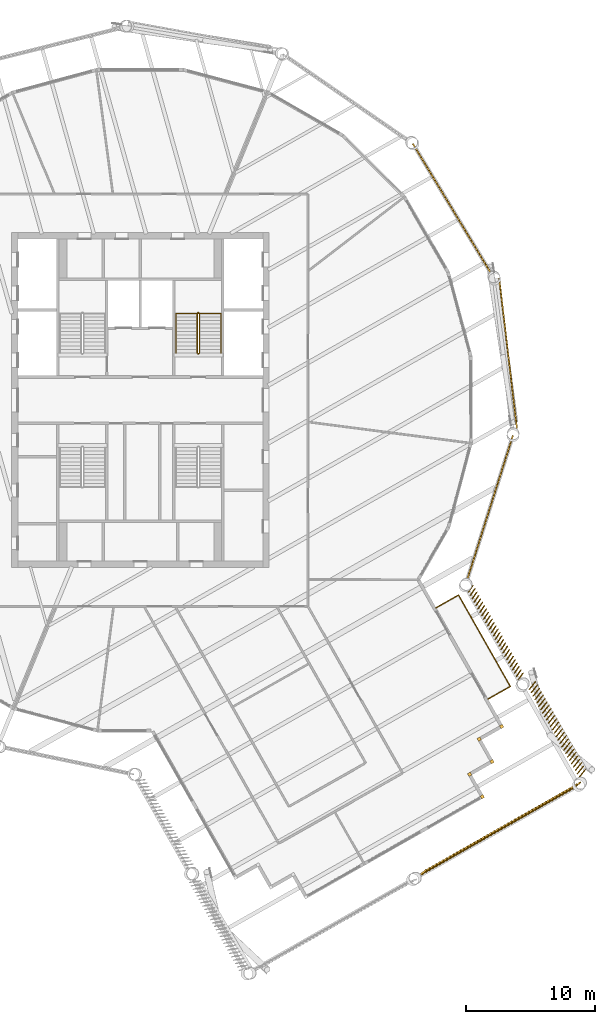
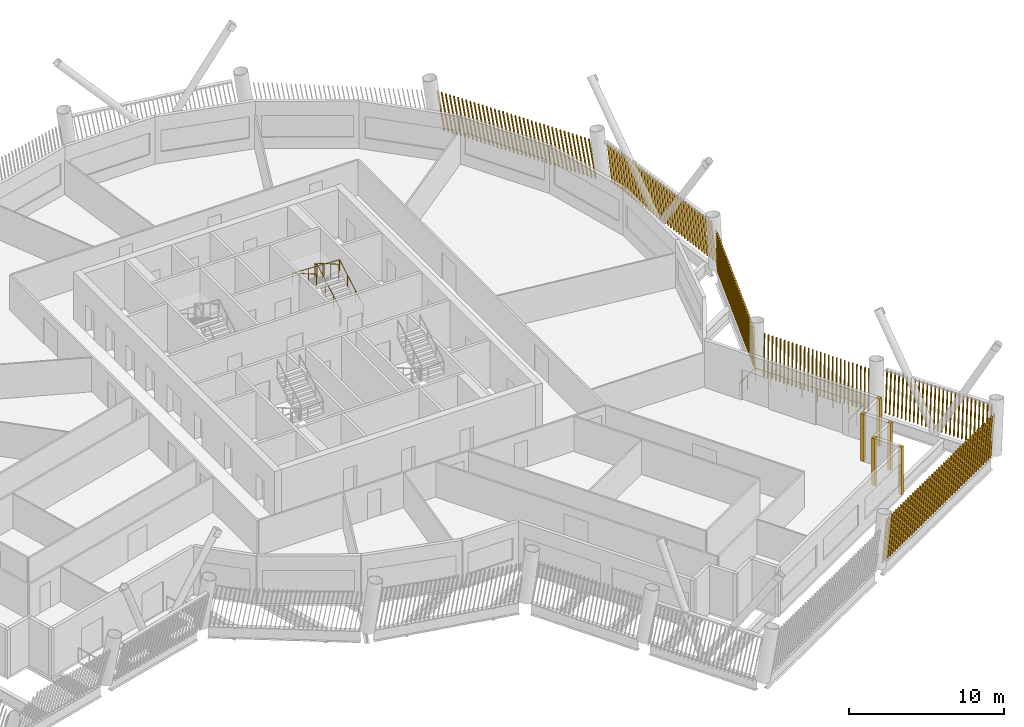
# One storey, part 19 of 21: 11 shading devices, 3 railings.
"""IFC4 building model written with IfcOpenShell, lengths in metres."""

from ifc_helpers import new_model, si_unit, direction, frame, frame_2d, origin, origin_2d, place, context, subcontext, project, spatial, rectangle, circle, composite_profile, extrude, material, type_object, element, save


model = new_model("IFC4")

# Units and contexts
model_context = context("Model", 3, precision=1e-05, world=origin(), true_north=direction((0.0, 1.0)))
body_context = subcontext(model_context, "Body", "Model", "MODEL_VIEW")
ifc_project = project(units=[si_unit("LENGTHUNIT", "METRE"), si_unit("AREAUNIT", "SQUARE_METRE"), si_unit("VOLUMEUNIT", "CUBIC_METRE"), si_unit("PLANEANGLEUNIT", "RADIAN"), si_unit("MASSUNIT", "GRAM", prefix="KILO")], contexts=[model_context])

# Site, building, storey
site_placement = place(None, origin())
site = spatial("IfcSite", under=ifc_project, at=site_placement, CompositionType="ELEMENT")
building_placement = place(site_placement, origin())
building = spatial("IfcBuilding", under=site, at=building_placement, Name="Tarsis Ring Headquarters", CompositionType="ELEMENT")
storey_placement = place(building_placement, frame((0.0, 0.0, 347.0)))
storey = spatial("IfcBuildingStorey", under=building, at=storey_placement, Name="L82", CompositionType="ELEMENT", Elevation=347.0)

# Railings
ifc_material_1 = material(Name="Stainless steel guard", Category="steel")
railing_type_1 = type_object("IfcRailingType", Name="Balcony balustrade with mesh infill 1100", PredefinedType="BALUSTRADE", material=ifc_material_1)
railing_1_placement = place(storey_placement, frame((26.98095703125, -23.20068359375, 0.0)))
element("IfcRailing", 1, at=railing_1_placement, inside=storey, type_object=railing_type_1, Name="Balcony balustrade L82-16", PredefinedType="BALUSTRADE", context=body_context, shape_type="SweptSolid", body=[
    extrude(circle(Radius=0.030029296875, at=origin_2d()), frame((0.0, 0.0, 1.070068359375), z_axis=(0.869517324545, 0.493902442104, 0.0), x_axis=(-0.493902442104, 0.869517324545, 0.0)), (0.0, 0.0, 1.0), 2.0),
    extrude(circle(Radius=0.030029296875, at=origin_2d()), frame((1.739013671875, 0.98779296875, 1.070068359375), z_axis=(-0.493956918831, 0.869486378467, 0.0), x_axis=(-0.869486378467, -0.493956918831, 0.0)), (0.0, 0.0, 1.0), 8.1513671875),
    extrude(circle(Radius=0.030029296875, at=origin_2d()), frame((-2.287353515625, 8.0751953125, 1.070068359375), z_axis=(-0.869487541658, -0.493954871321, 0.0), x_axis=(0.493954871321, -0.869487541658, 0.0)), (0.0, 0.0, 1.0), 1.999755859375),
    extrude(circle(Radius=0.02490234375, at=origin_2d()), origin(), (0.0, 0.0, 1.0), 1.0400390625),
    extrude(circle(Radius=0.02490234375, at=origin_2d()), frame((0.86962890625, 0.493896484375, 0.0)), (0.0, 0.0, 1.0), 1.0400390625),
    extrude(circle(Radius=0.02490234375, at=origin_2d()), frame((1.739013671875, 0.98779296875, 0.0)), (0.0, 0.0, 1.0), 1.0400390625),
    extrude(circle(Radius=0.02490234375, at=origin_2d()), frame((1.163818359375, 2.000244140625, 0.0)), (0.0, 0.0, 1.0), 1.0400390625),
    extrude(circle(Radius=0.02490234375, at=origin_2d()), frame((0.588623046875, 3.0126953125, 0.0)), (0.0, 0.0, 1.0), 1.0400390625),
    extrude(circle(Radius=0.02490234375, at=origin_2d()), frame((0.013427734375, 4.025146484375, 0.0)), (0.0, 0.0, 1.0), 1.0400390625),
    extrude(circle(Radius=0.02490234375, at=origin_2d()), frame((-0.561767578125, 5.037841796875, 0.0)), (0.0, 0.0, 1.0), 1.0400390625),
    extrude(circle(Radius=0.02490234375, at=origin_2d()), frame((-1.136962890625, 6.05029296875, 0.0)), (0.0, 0.0, 1.0), 1.0400390625),
    extrude(circle(Radius=0.02490234375, at=origin_2d()), frame((-1.712158203125, 7.062744140625, 0.0)), (0.0, 0.0, 1.0), 1.0400390625),
    extrude(circle(Radius=0.02490234375, at=origin_2d()), frame((-2.287353515625, 8.0751953125, 0.0)), (0.0, 0.0, 1.0), 1.0400390625),
    extrude(circle(Radius=0.02490234375, at=origin_2d()), frame((-3.15673828125, 7.581298828125, 0.0)), (0.0, 0.0, 1.0), 1.0400390625),
    extrude(circle(Radius=0.02490234375, at=origin_2d()), frame((-4.026123046875, 7.08740234375, 0.0)), (0.0, 0.0, 1.0), 1.0400390625),
])
ifc_material_2 = material(Name="Steel S355", Category="steel")
railing_type_2 = type_object("IfcRailingType", Name="Core stair guard 1100", PredefinedType="GUARDRAIL", material=ifc_material_2)
railing_2_placement = place(storey_placement, frame((4.4599609375, 3.610107421875, 0.0)))
element("IfcRailing", 2, at=railing_2_placement, inside=storey, type_object=railing_type_2, Name="L82 ST2 stair guard 1", PredefinedType="GUARDRAIL", context=body_context, shape_type="SweptSolid", body=[
    extrude(circle(Radius=0.02392578125, at=origin_2d()), frame((0.0, 0.0, 1.076171875), z_axis=(1.0, 0.0, 0.0), x_axis=(0.0, 1.0, 0.0)), (0.0, 0.0, 1.0), 0.080078125),
    extrude(circle(Radius=0.02392578125, at=origin_2d()), frame((0.080078125, 0.0, 1.076171875), z_axis=(0.282336740067, 0.280959487676, 0.917250092119), x_axis=(-0.705375805398, 0.708833529934, 0.0)), (0.0, 0.0, 1.0), 0.17724609375),
    extrude(circle(Radius=0.02392578125, at=origin_2d()), frame((0.130126953125, 0.0498046875, 1.23876953125), z_axis=(0.0, 0.864920483161, 0.501908913857), x_axis=(-1.0, 0.0, 0.0)), (0.0, 0.0, 1.0), 3.56103515625),
    extrude(circle(Radius=0.02392578125, at=origin_2d()), frame((0.130126953125, 3.1298828125, 3.02587890625), z_axis=(-0.707106781187, 0.707106781187, 0.0), x_axis=(-0.707106781187, -0.707106781187, 0.0)), (0.0, 0.0, 1.0), 0.07080078125),
    extrude(circle(Radius=0.02392578125, at=origin_2d()), frame((0.080078125, 3.179931640625, 3.02587890625), z_axis=(-1.0, 0.0, 0.0), x_axis=(0.0, -1.0, 0.0)), (0.0, 0.0, 1.0), 0.080078125),
    extrude(circle(Radius=0.02392578125, at=origin_2d()), frame((0.0, 3.179931640625, 3.02587890625), z_axis=(-0.282227285176, -0.282227285176, 0.916894497205), x_axis=(0.707106781187, -0.707106781187, 0.0)), (0.0, 0.0, 1.0), 0.17724609375),
    extrude(circle(Radius=0.02392578125, at=origin_2d()), frame((-0.050048828125, 3.1298828125, 3.1884765625), z_axis=(0.0, -0.864920483161, 0.501908913857), x_axis=(1.0, 0.0, 0.0)), (0.0, 0.0, 1.0), 3.56103515625),
    extrude(circle(Radius=0.02099609375, at=origin_2d()), origin(), (0.0, 0.0, 1.0), 1.052001953125),
    extrude(circle(Radius=0.02099609375, at=origin_2d()), frame((0.080078125, 0.0, 0.0)), (0.0, 0.0, 1.0), 1.052001953125),
    extrude(circle(Radius=0.02099609375, at=origin_2d()), frame((0.130126953125, 0.0498046875, 0.16259765625)), (0.0, 0.0, 1.0), 1.052001953125),
    extrude(circle(Radius=0.02099609375, at=origin_2d()), frame((0.130126953125, 1.076416015625, 0.75830078125)), (0.0, 0.0, 1.0), 1.052001953125),
    extrude(circle(Radius=0.02099609375, at=origin_2d()), frame((0.130126953125, 2.103271484375, 1.354248046875)), (0.0, 0.0, 1.0), 1.052001953125),
    extrude(circle(Radius=0.02099609375, at=origin_2d()), frame((0.130126953125, 3.1298828125, 1.949951171875)), (0.0, 0.0, 1.0), 1.052001953125),
    extrude(circle(Radius=0.02099609375, at=origin_2d()), frame((0.080078125, 3.179931640625, 1.949951171875)), (0.0, 0.0, 1.0), 1.052001953125),
    extrude(circle(Radius=0.02099609375, at=origin_2d()), frame((0.0, 3.179931640625, 1.949951171875)), (0.0, 0.0, 1.0), 1.052001953125),
    extrude(circle(Radius=0.02099609375, at=origin_2d()), frame((-0.050048828125, 3.1298828125, 2.112548828125)), (0.0, 0.0, 1.0), 1.052001953125),
    extrude(circle(Radius=0.02099609375, at=origin_2d()), frame((-0.050048828125, 2.103271484375, 2.708251953125)), (0.0, 0.0, 1.0), 1.052001953125),
    extrude(circle(Radius=0.02099609375, at=origin_2d()), frame((-0.050048828125, 1.076416015625, 3.30419921875)), (0.0, 0.0, 1.0), 1.052001953125),
    extrude(circle(Radius=0.02099609375, at=origin_2d()), frame((-0.050048828125, 0.0498046875, 3.89990234375)), (0.0, 0.0, 1.0), 1.052001953125),
])
railing_type_3 = type_object("IfcRailingType", Name="Core stair handrail 900", PredefinedType="HANDRAIL", material=ifc_material_2)
railing_3_placement = place(storey_placement, frame((6.25, 3.659912109375, 0.16259765625)))
element("IfcRailing", 3, at=railing_3_placement, inside=storey, type_object=railing_type_3, Name="L82 ST2 stair handrail 1", PredefinedType="HANDRAIL", context=body_context, shape_type="SweptSolid", body=[
    extrude(circle(Radius=0.02392578125, at=origin_2d()), frame((0.0, 0.0, 0.8759765625), z_axis=(0.0, 0.864920483161, 0.501908913857), x_axis=(-1.0, 0.0, 0.0)), (0.0, 0.0, 1.0), 3.56103515625),
    extrude(circle(Radius=0.02392578125, at=origin_2d()), frame((0.0, 3.080078125, 2.6630859375), z_axis=(-0.998922641604, 0.0, 0.046406422943), x_axis=(0.0, -1.0, 0.0)), (0.0, 0.0, 1.0), 3.503662109375),
    extrude(circle(Radius=0.02392578125, at=origin_2d()), frame((-3.5, 3.080078125, 2.82568359375), z_axis=(0.0, -0.864920483161, 0.501908913857), x_axis=(1.0, 0.0, 0.0)), (0.0, 0.0, 1.0), 3.56103515625),
    extrude(circle(Radius=0.02099609375, at=origin_2d()), origin(), (0.0, 0.0, 1.0), 0.851806640625),
    extrude(circle(Radius=0.02099609375, at=origin_2d()), frame((0.0, 1.026611328125, 0.595703125)), (0.0, 0.0, 1.0), 0.851806640625),
    extrude(circle(Radius=0.02099609375, at=origin_2d()), frame((0.0, 2.053466796875, 1.191650390625)), (0.0, 0.0, 1.0), 0.851806640625),
    extrude(circle(Radius=0.02099609375, at=origin_2d()), frame((0.0, 3.080078125, 1.787353515625)), (0.0, 0.0, 1.0), 0.851806640625),
    extrude(circle(Radius=0.02099609375, at=origin_2d()), frame((-1.166748046875, 3.080078125, 1.841552734375)), (0.0, 0.0, 1.0), 0.851806640625),
    extrude(circle(Radius=0.02099609375, at=origin_2d()), frame((-2.333251953125, 3.080078125, 1.895751953125)), (0.0, 0.0, 1.0), 0.851806640625),
    extrude(circle(Radius=0.02099609375, at=origin_2d()), frame((-3.5, 3.080078125, 1.949951171875)), (0.0, 0.0, 1.0), 0.851806640625),
    extrude(circle(Radius=0.02099609375, at=origin_2d()), frame((-3.5, 2.053466796875, 2.545654296875)), (0.0, 0.0, 1.0), 0.851806640625),
    extrude(circle(Radius=0.02099609375, at=origin_2d()), frame((-3.5, 1.026611328125, 3.1416015625)), (0.0, 0.0, 1.0), 0.851806640625),
    extrude(circle(Radius=0.02099609375, at=origin_2d()), frame((-3.5, 0.0, 3.7373046875)), (0.0, 0.0, 1.0), 0.851806640625),
])

# Shading devices
ifc_material_3 = material(Name="Terracotta baguette", Category="masonry")
shading_device_type_1 = type_object("IfcShadingDeviceType", Name="Terracotta baguette screen", PredefinedType="USERDEFINED", material=ifc_material_3)
shading_device_1_placement = place(storey_placement, frame((21.575439453125, -36.967529296875, 0.0), z_axis=(0.0, 0.0, 1.0), x_axis=(0.869491375498, 0.493940734188, 0.0)))
element("IfcShadingDevice", 4, at=shading_device_1_placement, inside=storey, type_object=shading_device_type_1, Name="Baguette screen L82-04", ObjectType="Terracotta baguette screen", PredefinedType="USERDEFINED", context=body_context, shape_type="SweptSolid", body=[
    extrude(composite_profile([rectangle(XDim=0.06005859375, YDim=0.1201171875, at=frame_2d((0.030029296875, 0.0))), rectangle(XDim=0.06005859375, YDim=0.1201171875, at=frame_2d((0.33544921875, 0.0))), rectangle(XDim=0.06005859375, YDim=0.1201171875, at=frame_2d((0.640625, 0.0))), rectangle(XDim=0.06005859375, YDim=0.1201171875, at=frame_2d((0.946044921875, 0.0))), rectangle(XDim=0.06005859375, YDim=0.1201171875, at=frame_2d((1.25146484375, 0.0))), rectangle(XDim=0.06005859375, YDim=0.1201171875, at=frame_2d((1.556640625, 0.0))), rectangle(XDim=0.06005859375, YDim=0.1201171875, at=frame_2d((1.862060546875, 0.0))), rectangle(XDim=0.06005859375, YDim=0.1201171875, at=frame_2d((2.16748046875, 0.0))), rectangle(XDim=0.06005859375, YDim=0.1201171875, at=frame_2d((2.47265625, 0.0))), rectangle(XDim=0.06005859375, YDim=0.1201171875, at=frame_2d((2.778076171875, 0.0))), rectangle(XDim=0.06005859375, YDim=0.1201171875, at=frame_2d((3.08349609375, 0.0))), rectangle(XDim=0.06005859375, YDim=0.1201171875, at=frame_2d((3.388671875, 0.0))), rectangle(XDim=0.06005859375, YDim=0.1201171875, at=frame_2d((3.694091796875, 0.0))), rectangle(XDim=0.06005859375, YDim=0.1201171875, at=frame_2d((3.99951171875, 0.0))), rectangle(XDim=0.06005859375, YDim=0.1201171875, at=frame_2d((4.3046875, 0.0))), rectangle(XDim=0.06005859375, YDim=0.1201171875, at=frame_2d((4.610107421875, 0.0))), rectangle(XDim=0.06005859375, YDim=0.1201171875, at=frame_2d((4.91552734375, 0.0))), rectangle(XDim=0.06005859375, YDim=0.1201171875, at=frame_2d((5.220703125, 0.0))), rectangle(XDim=0.06005859375, YDim=0.1201171875, at=frame_2d((5.526123046875, 0.0))), rectangle(XDim=0.06005859375, YDim=0.1201171875, at=frame_2d((5.83154296875, 0.0))), rectangle(XDim=0.06005859375, YDim=0.1201171875, at=frame_2d((6.13671875, 0.0))), rectangle(XDim=0.06005859375, YDim=0.1201171875, at=frame_2d((6.442138671875, 0.0))), rectangle(XDim=0.06005859375, YDim=0.1201171875, at=frame_2d((6.74755859375, 0.0))), rectangle(XDim=0.06005859375, YDim=0.1201171875, at=frame_2d((7.052734375, 0.0))), rectangle(XDim=0.06005859375, YDim=0.1201171875, at=frame_2d((7.358154296875, 0.0))), rectangle(XDim=0.06005859375, YDim=0.1201171875, at=frame_2d((7.66357421875, 0.0))), rectangle(XDim=0.06005859375, YDim=0.1201171875, at=frame_2d((7.96875, 0.0))), rectangle(XDim=0.06005859375, YDim=0.1201171875, at=frame_2d((8.274169921875, 0.0))), rectangle(XDim=0.06005859375, YDim=0.1201171875, at=frame_2d((8.57958984375, 0.0))), rectangle(XDim=0.06005859375, YDim=0.1201171875, at=frame_2d((8.884765625, 0.0))), rectangle(XDim=0.06005859375, YDim=0.1201171875, at=frame_2d((9.190185546875, 0.0))), rectangle(XDim=0.06005859375, YDim=0.1201171875, at=frame_2d((9.49560546875, 0.0))), rectangle(XDim=0.06005859375, YDim=0.1201171875, at=frame_2d((9.80078125, 0.0))), rectangle(XDim=0.06005859375, YDim=0.1201171875, at=frame_2d((10.106201171875, 0.0))), rectangle(XDim=0.06005859375, YDim=0.1201171875, at=frame_2d((10.41162109375, 0.0))), rectangle(XDim=0.06005859375, YDim=0.1201171875, at=frame_2d((10.716796875, 0.0))), rectangle(XDim=0.06005859375, YDim=0.1201171875, at=frame_2d((11.022216796875, 0.0))), rectangle(XDim=0.06005859375, YDim=0.1201171875, at=frame_2d((11.32763671875, 0.0))), rectangle(XDim=0.06005859375, YDim=0.1201171875, at=frame_2d((11.6328125, 0.0))), rectangle(XDim=0.06005859375, YDim=0.1201171875, at=frame_2d((11.938232421875, 0.0))), rectangle(XDim=0.06005859375, YDim=0.1201171875, at=frame_2d((12.24365234375, 0.0))), rectangle(XDim=0.06005859375, YDim=0.1201171875, at=frame_2d((12.548828125, 0.0))), rectangle(XDim=0.06005859375, YDim=0.1201171875, at=frame_2d((12.854248046875, 0.0))), rectangle(XDim=0.06005859375, YDim=0.1201171875, at=frame_2d((13.15966796875, 0.0))), rectangle(XDim=0.06005859375, YDim=0.1201171875, at=frame_2d((13.46484375, 0.0))), rectangle(XDim=0.06005859375, YDim=0.1201171875, at=frame_2d((13.770263671875, 0.0)))]), origin(), (0.252585499012, 0.046035973939, 0.966478791693), 3.07080078125),
])
shading_device_2_placement = place(storey_placement, frame((34.08837890625, -29.2841796875, 0.0), z_axis=(0.0, 0.0, 1.0), x_axis=(-0.493944636678, 0.869500741473, 0.0)))
element("IfcShadingDevice", 5, at=shading_device_2_placement, inside=storey, type_object=shading_device_type_1, Name="Baguette screen L82-05", ObjectType="Terracotta baguette screen", PredefinedType="USERDEFINED", context=body_context, shape_type="SweptSolid", body=[
    extrude(composite_profile([rectangle(XDim=0.06005859375, YDim=0.1201171875, at=frame_2d((0.030029296875, 0.0))), rectangle(XDim=0.06005859375, YDim=0.1201171875, at=frame_2d((0.33154296875, 0.0))), rectangle(XDim=0.06005859375, YDim=0.1201171875, at=frame_2d((0.63330078125, 0.0))), rectangle(XDim=0.06005859375, YDim=0.1201171875, at=frame_2d((0.934814453125, 0.0))), rectangle(XDim=0.06005859375, YDim=0.1201171875, at=frame_2d((1.236572265625, 0.0))), rectangle(XDim=0.06005859375, YDim=0.1201171875, at=frame_2d((1.5380859375, 0.0))), rectangle(XDim=0.06005859375, YDim=0.1201171875, at=frame_2d((1.83984375, 0.0))), rectangle(XDim=0.06005859375, YDim=0.1201171875, at=frame_2d((2.141357421875, 0.0))), rectangle(XDim=0.06005859375, YDim=0.1201171875, at=frame_2d((2.443115234375, 0.0))), rectangle(XDim=0.06005859375, YDim=0.1201171875, at=frame_2d((2.74462890625, 0.0))), rectangle(XDim=0.06005859375, YDim=0.1201171875, at=frame_2d((3.04638671875, 0.0))), rectangle(XDim=0.06005859375, YDim=0.1201171875, at=frame_2d((3.347900390625, 0.0))), rectangle(XDim=0.06005859375, YDim=0.1201171875, at=frame_2d((3.649658203125, 0.0))), rectangle(XDim=0.06005859375, YDim=0.1201171875, at=frame_2d((3.951171875, 0.0))), rectangle(XDim=0.06005859375, YDim=0.1201171875, at=frame_2d((4.252685546875, 0.0))), rectangle(XDim=0.06005859375, YDim=0.1201171875, at=frame_2d((4.554443359375, 0.0))), rectangle(XDim=0.06005859375, YDim=0.1201171875, at=frame_2d((4.85595703125, 0.0))), rectangle(XDim=0.06005859375, YDim=0.1201171875, at=frame_2d((5.15771484375, 0.0))), rectangle(XDim=0.06005859375, YDim=0.1201171875, at=frame_2d((5.459228515625, 0.0))), rectangle(XDim=0.06005859375, YDim=0.1201171875, at=frame_2d((5.760986328125, 0.0))), rectangle(XDim=0.06005859375, YDim=0.1201171875, at=frame_2d((6.0625, 0.0))), rectangle(XDim=0.06005859375, YDim=0.1201171875, at=frame_2d((6.3642578125, 0.0))), rectangle(XDim=0.06005859375, YDim=0.1201171875, at=frame_2d((6.665771484375, 0.0))), rectangle(XDim=0.06005859375, YDim=0.1201171875, at=frame_2d((6.967529296875, 0.0))), rectangle(XDim=0.06005859375, YDim=0.1201171875, at=frame_2d((7.26904296875, 0.0))), rectangle(XDim=0.06005859375, YDim=0.1201171875, at=frame_2d((7.57080078125, 0.0))), rectangle(XDim=0.06005859375, YDim=0.1201171875, at=frame_2d((7.872314453125, 0.0)))]), origin(), (0.092053855058, -0.226597144247, 0.969628703158), 3.060791015625),
])
shading_device_3_placement = place(storey_placement, frame((29.364990234375, -21.728759765625, 0.0), z_axis=(0.0, 0.0, 1.0), x_axis=(-0.493929001761, 0.869496709612, 0.0)))
element("IfcShadingDevice", 6, at=shading_device_3_placement, inside=storey, type_object=shading_device_type_1, Name="Baguette screen L82-06", ObjectType="Terracotta baguette screen", PredefinedType="USERDEFINED", context=body_context, shape_type="SweptSolid", body=[
    extrude(composite_profile([rectangle(XDim=0.06005859375, YDim=0.1201171875, at=frame_2d((0.030029296875, 0.0))), rectangle(XDim=0.06005859375, YDim=0.1201171875, at=frame_2d((0.33154296875, 0.0))), rectangle(XDim=0.06005859375, YDim=0.1201171875, at=frame_2d((0.63330078125, 0.0))), rectangle(XDim=0.06005859375, YDim=0.1201171875, at=frame_2d((0.934814453125, 0.0))), rectangle(XDim=0.06005859375, YDim=0.1201171875, at=frame_2d((1.236572265625, 0.0))), rectangle(XDim=0.06005859375, YDim=0.1201171875, at=frame_2d((1.5380859375, 0.0))), rectangle(XDim=0.06005859375, YDim=0.1201171875, at=frame_2d((1.83984375, 0.0))), rectangle(XDim=0.06005859375, YDim=0.1201171875, at=frame_2d((2.141357421875, 0.0))), rectangle(XDim=0.06005859375, YDim=0.1201171875, at=frame_2d((2.443115234375, 0.0))), rectangle(XDim=0.06005859375, YDim=0.1201171875, at=frame_2d((2.74462890625, 0.0))), rectangle(XDim=0.06005859375, YDim=0.1201171875, at=frame_2d((3.04638671875, 0.0))), rectangle(XDim=0.06005859375, YDim=0.1201171875, at=frame_2d((3.347900390625, 0.0))), rectangle(XDim=0.06005859375, YDim=0.1201171875, at=frame_2d((3.649658203125, 0.0))), rectangle(XDim=0.06005859375, YDim=0.1201171875, at=frame_2d((3.951171875, 0.0))), rectangle(XDim=0.06005859375, YDim=0.1201171875, at=frame_2d((4.252685546875, 0.0))), rectangle(XDim=0.06005859375, YDim=0.1201171875, at=frame_2d((4.554443359375, 0.0))), rectangle(XDim=0.06005859375, YDim=0.1201171875, at=frame_2d((4.85595703125, 0.0))), rectangle(XDim=0.06005859375, YDim=0.1201171875, at=frame_2d((5.15771484375, 0.0))), rectangle(XDim=0.06005859375, YDim=0.1201171875, at=frame_2d((5.459228515625, 0.0))), rectangle(XDim=0.06005859375, YDim=0.1201171875, at=frame_2d((5.760986328125, 0.0))), rectangle(XDim=0.06005859375, YDim=0.1201171875, at=frame_2d((6.0625, 0.0))), rectangle(XDim=0.06005859375, YDim=0.1201171875, at=frame_2d((6.3642578125, 0.0))), rectangle(XDim=0.06005859375, YDim=0.1201171875, at=frame_2d((6.665771484375, 0.0))), rectangle(XDim=0.06005859375, YDim=0.1201171875, at=frame_2d((6.967529296875, 0.0))), rectangle(XDim=0.06005859375, YDim=0.1201171875, at=frame_2d((7.26904296875, 0.0))), rectangle(XDim=0.06005859375, YDim=0.1201171875, at=frame_2d((7.57080078125, 0.0))), rectangle(XDim=0.06005859375, YDim=0.1201171875, at=frame_2d((7.872314453125, 0.0)))]), origin(), (0.090333935937, -0.175733340999, 0.980284434682), 3.02734375),
])
shading_device_4_placement = place(storey_placement, frame((25.365966796875, -13.946533203125, 0.0), z_axis=(0.0, 0.0, 1.0), x_axis=(0.302354856213, 0.953206728161, 0.0)))
element("IfcShadingDevice", 7, at=shading_device_4_placement, inside=storey, type_object=shading_device_type_1, Name="Baguette screen L82-07", ObjectType="Terracotta baguette screen", PredefinedType="USERDEFINED", context=body_context, shape_type="SweptSolid", body=[
    extrude(composite_profile([rectangle(XDim=0.06005859375, YDim=0.1201171875, at=frame_2d((0.030029296875, 0.0))), rectangle(XDim=0.06005859375, YDim=0.1201171875, at=frame_2d((0.33251953125, 0.0))), rectangle(XDim=0.06005859375, YDim=0.1201171875, at=frame_2d((0.634765625, 0.0))), rectangle(XDim=0.06005859375, YDim=0.1201171875, at=frame_2d((0.937255859375, 0.0))), rectangle(XDim=0.06005859375, YDim=0.1201171875, at=frame_2d((1.239501953125, 0.0))), rectangle(XDim=0.06005859375, YDim=0.1201171875, at=frame_2d((1.5419921875, 0.0))), rectangle(XDim=0.06005859375, YDim=0.1201171875, at=frame_2d((1.844482421875, 0.0))), rectangle(XDim=0.06005859375, YDim=0.1201171875, at=frame_2d((2.146728515625, 0.0))), rectangle(XDim=0.06005859375, YDim=0.1201171875, at=frame_2d((2.44921875, 0.0))), rectangle(XDim=0.06005859375, YDim=0.1201171875, at=frame_2d((2.751708984375, 0.0))), rectangle(XDim=0.06005859375, YDim=0.1201171875, at=frame_2d((3.053955078125, 0.0))), rectangle(XDim=0.06005859375, YDim=0.1201171875, at=frame_2d((3.3564453125, 0.0))), rectangle(XDim=0.06005859375, YDim=0.1201171875, at=frame_2d((3.65869140625, 0.0))), rectangle(XDim=0.06005859375, YDim=0.1201171875, at=frame_2d((3.961181640625, 0.0))), rectangle(XDim=0.06005859375, YDim=0.1201171875, at=frame_2d((4.263671875, 0.0))), rectangle(XDim=0.06005859375, YDim=0.1201171875, at=frame_2d((4.56591796875, 0.0))), rectangle(XDim=0.06005859375, YDim=0.1201171875, at=frame_2d((4.868408203125, 0.0))), rectangle(XDim=0.06005859375, YDim=0.1201171875, at=frame_2d((5.1708984375, 0.0))), rectangle(XDim=0.06005859375, YDim=0.1201171875, at=frame_2d((5.47314453125, 0.0))), rectangle(XDim=0.06005859375, YDim=0.1201171875, at=frame_2d((5.775634765625, 0.0))), rectangle(XDim=0.06005859375, YDim=0.1201171875, at=frame_2d((6.077880859375, 0.0))), rectangle(XDim=0.06005859375, YDim=0.1201171875, at=frame_2d((6.38037109375, 0.0))), rectangle(XDim=0.06005859375, YDim=0.1201171875, at=frame_2d((6.682861328125, 0.0))), rectangle(XDim=0.06005859375, YDim=0.1201171875, at=frame_2d((6.985107421875, 0.0))), rectangle(XDim=0.06005859375, YDim=0.1201171875, at=frame_2d((7.28759765625, 0.0))), rectangle(XDim=0.06005859375, YDim=0.1201171875, at=frame_2d((7.590087890625, 0.0))), rectangle(XDim=0.06005859375, YDim=0.1201171875, at=frame_2d((7.892333984375, 0.0))), rectangle(XDim=0.06005859375, YDim=0.1201171875, at=frame_2d((8.19482421875, 0.0))), rectangle(XDim=0.06005859375, YDim=0.1201171875, at=frame_2d((8.4970703125, 0.0))), rectangle(XDim=0.06005859375, YDim=0.1201171875, at=frame_2d((8.799560546875, 0.0))), rectangle(XDim=0.06005859375, YDim=0.1201171875, at=frame_2d((9.10205078125, 0.0))), rectangle(XDim=0.06005859375, YDim=0.1201171875, at=frame_2d((9.404296875, 0.0))), rectangle(XDim=0.06005859375, YDim=0.1201171875, at=frame_2d((9.706787109375, 0.0))), rectangle(XDim=0.06005859375, YDim=0.1201171875, at=frame_2d((10.00927734375, 0.0))), rectangle(XDim=0.06005859375, YDim=0.1201171875, at=frame_2d((10.3115234375, 0.0))), rectangle(XDim=0.06005859375, YDim=0.1201171875, at=frame_2d((10.614013671875, 0.0))), rectangle(XDim=0.06005859375, YDim=0.1201171875, at=frame_2d((10.916259765625, 0.0))), rectangle(XDim=0.06005859375, YDim=0.1201171875, at=frame_2d((11.21875, 0.0)))]), origin(), (0.171103263122, 0.001553500536, 0.985251876418), 3.01220703125),
])
shading_device_5_placement = place(storey_placement, frame((29.23193359375, -2.20703125, 0.0), z_axis=(0.0, 0.0, 1.0), x_axis=(-0.117414706138, 0.99307665596, 0.0)))
element("IfcShadingDevice", 8, at=shading_device_5_placement, inside=storey, type_object=shading_device_type_1, Name="Baguette screen L82-08", ObjectType="Terracotta baguette screen", PredefinedType="USERDEFINED", context=body_context, shape_type="SweptSolid", body=[
    extrude(composite_profile([rectangle(XDim=0.06005859375, YDim=0.1201171875, at=frame_2d((0.030029296875, 0.0))), rectangle(XDim=0.06005859375, YDim=0.1201171875, at=frame_2d((0.33251953125, 0.0))), rectangle(XDim=0.06005859375, YDim=0.1201171875, at=frame_2d((0.634765625, 0.0))), rectangle(XDim=0.06005859375, YDim=0.1201171875, at=frame_2d((0.937255859375, 0.0))), rectangle(XDim=0.06005859375, YDim=0.1201171875, at=frame_2d((1.239501953125, 0.0))), rectangle(XDim=0.06005859375, YDim=0.1201171875, at=frame_2d((1.5419921875, 0.0))), rectangle(XDim=0.06005859375, YDim=0.1201171875, at=frame_2d((1.844482421875, 0.0))), rectangle(XDim=0.06005859375, YDim=0.1201171875, at=frame_2d((2.146728515625, 0.0))), rectangle(XDim=0.06005859375, YDim=0.1201171875, at=frame_2d((2.44921875, 0.0))), rectangle(XDim=0.06005859375, YDim=0.1201171875, at=frame_2d((2.751708984375, 0.0))), rectangle(XDim=0.06005859375, YDim=0.1201171875, at=frame_2d((3.053955078125, 0.0))), rectangle(XDim=0.06005859375, YDim=0.1201171875, at=frame_2d((3.3564453125, 0.0))), rectangle(XDim=0.06005859375, YDim=0.1201171875, at=frame_2d((3.65869140625, 0.0))), rectangle(XDim=0.06005859375, YDim=0.1201171875, at=frame_2d((3.961181640625, 0.0))), rectangle(XDim=0.06005859375, YDim=0.1201171875, at=frame_2d((4.263671875, 0.0))), rectangle(XDim=0.06005859375, YDim=0.1201171875, at=frame_2d((4.56591796875, 0.0))), rectangle(XDim=0.06005859375, YDim=0.1201171875, at=frame_2d((4.868408203125, 0.0))), rectangle(XDim=0.06005859375, YDim=0.1201171875, at=frame_2d((5.1708984375, 0.0))), rectangle(XDim=0.06005859375, YDim=0.1201171875, at=frame_2d((5.47314453125, 0.0))), rectangle(XDim=0.06005859375, YDim=0.1201171875, at=frame_2d((5.775634765625, 0.0))), rectangle(XDim=0.06005859375, YDim=0.1201171875, at=frame_2d((6.077880859375, 0.0))), rectangle(XDim=0.06005859375, YDim=0.1201171875, at=frame_2d((6.38037109375, 0.0))), rectangle(XDim=0.06005859375, YDim=0.1201171875, at=frame_2d((6.682861328125, 0.0))), rectangle(XDim=0.06005859375, YDim=0.1201171875, at=frame_2d((6.985107421875, 0.0))), rectangle(XDim=0.06005859375, YDim=0.1201171875, at=frame_2d((7.28759765625, 0.0))), rectangle(XDim=0.06005859375, YDim=0.1201171875, at=frame_2d((7.590087890625, 0.0))), rectangle(XDim=0.06005859375, YDim=0.1201171875, at=frame_2d((7.892333984375, 0.0))), rectangle(XDim=0.06005859375, YDim=0.1201171875, at=frame_2d((8.19482421875, 0.0))), rectangle(XDim=0.06005859375, YDim=0.1201171875, at=frame_2d((8.4970703125, 0.0))), rectangle(XDim=0.06005859375, YDim=0.1201171875, at=frame_2d((8.799560546875, 0.0))), rectangle(XDim=0.06005859375, YDim=0.1201171875, at=frame_2d((9.10205078125, 0.0))), rectangle(XDim=0.06005859375, YDim=0.1201171875, at=frame_2d((9.404296875, 0.0))), rectangle(XDim=0.06005859375, YDim=0.1201171875, at=frame_2d((9.706787109375, 0.0))), rectangle(XDim=0.06005859375, YDim=0.1201171875, at=frame_2d((10.00927734375, 0.0))), rectangle(XDim=0.06005859375, YDim=0.1201171875, at=frame_2d((10.3115234375, 0.0))), rectangle(XDim=0.06005859375, YDim=0.1201171875, at=frame_2d((10.614013671875, 0.0))), rectangle(XDim=0.06005859375, YDim=0.1201171875, at=frame_2d((10.916259765625, 0.0))), rectangle(XDim=0.06005859375, YDim=0.1201171875, at=frame_2d((11.21875, 0.0)))]), origin(), (0.173292515749, 0.001575233954, 0.984869139847), 3.013427734375),
])
shading_device_6_placement = place(storey_placement, frame((27.2216796875, 9.8447265625, 0.0), z_axis=(0.0, 0.0, 1.0), x_axis=(-0.516332067282, 0.856386326641, 0.0)))
element("IfcShadingDevice", 9, at=shading_device_6_placement, inside=storey, type_object=shading_device_type_1, Name="Baguette screen L82-09", ObjectType="Terracotta baguette screen", PredefinedType="USERDEFINED", context=body_context, shape_type="SweptSolid", body=[
    extrude(composite_profile([rectangle(XDim=0.06005859375, YDim=0.1201171875, at=frame_2d((0.030029296875, 0.0))), rectangle(XDim=0.06005859375, YDim=0.1201171875, at=frame_2d((0.33251953125, 0.0))), rectangle(XDim=0.06005859375, YDim=0.1201171875, at=frame_2d((0.634765625, 0.0))), rectangle(XDim=0.06005859375, YDim=0.1201171875, at=frame_2d((0.937255859375, 0.0))), rectangle(XDim=0.06005859375, YDim=0.1201171875, at=frame_2d((1.239501953125, 0.0))), rectangle(XDim=0.06005859375, YDim=0.1201171875, at=frame_2d((1.5419921875, 0.0))), rectangle(XDim=0.06005859375, YDim=0.1201171875, at=frame_2d((1.844482421875, 0.0))), rectangle(XDim=0.06005859375, YDim=0.1201171875, at=frame_2d((2.146728515625, 0.0))), rectangle(XDim=0.06005859375, YDim=0.1201171875, at=frame_2d((2.44921875, 0.0))), rectangle(XDim=0.06005859375, YDim=0.1201171875, at=frame_2d((2.751708984375, 0.0))), rectangle(XDim=0.06005859375, YDim=0.1201171875, at=frame_2d((3.053955078125, 0.0))), rectangle(XDim=0.06005859375, YDim=0.1201171875, at=frame_2d((3.3564453125, 0.0))), rectangle(XDim=0.06005859375, YDim=0.1201171875, at=frame_2d((3.65869140625, 0.0))), rectangle(XDim=0.06005859375, YDim=0.1201171875, at=frame_2d((3.961181640625, 0.0))), rectangle(XDim=0.06005859375, YDim=0.1201171875, at=frame_2d((4.263671875, 0.0))), rectangle(XDim=0.06005859375, YDim=0.1201171875, at=frame_2d((4.56591796875, 0.0))), rectangle(XDim=0.06005859375, YDim=0.1201171875, at=frame_2d((4.868408203125, 0.0))), rectangle(XDim=0.06005859375, YDim=0.1201171875, at=frame_2d((5.1708984375, 0.0))), rectangle(XDim=0.06005859375, YDim=0.1201171875, at=frame_2d((5.47314453125, 0.0))), rectangle(XDim=0.06005859375, YDim=0.1201171875, at=frame_2d((5.775634765625, 0.0))), rectangle(XDim=0.06005859375, YDim=0.1201171875, at=frame_2d((6.077880859375, 0.0))), rectangle(XDim=0.06005859375, YDim=0.1201171875, at=frame_2d((6.38037109375, 0.0))), rectangle(XDim=0.06005859375, YDim=0.1201171875, at=frame_2d((6.682861328125, 0.0))), rectangle(XDim=0.06005859375, YDim=0.1201171875, at=frame_2d((6.985107421875, 0.0))), rectangle(XDim=0.06005859375, YDim=0.1201171875, at=frame_2d((7.28759765625, 0.0))), rectangle(XDim=0.06005859375, YDim=0.1201171875, at=frame_2d((7.590087890625, 0.0))), rectangle(XDim=0.06005859375, YDim=0.1201171875, at=frame_2d((7.892333984375, 0.0))), rectangle(XDim=0.06005859375, YDim=0.1201171875, at=frame_2d((8.19482421875, 0.0))), rectangle(XDim=0.06005859375, YDim=0.1201171875, at=frame_2d((8.4970703125, 0.0))), rectangle(XDim=0.06005859375, YDim=0.1201171875, at=frame_2d((8.799560546875, 0.0))), rectangle(XDim=0.06005859375, YDim=0.1201171875, at=frame_2d((9.10205078125, 0.0))), rectangle(XDim=0.06005859375, YDim=0.1201171875, at=frame_2d((9.404296875, 0.0))), rectangle(XDim=0.06005859375, YDim=0.1201171875, at=frame_2d((9.706787109375, 0.0))), rectangle(XDim=0.06005859375, YDim=0.1201171875, at=frame_2d((10.00927734375, 0.0))), rectangle(XDim=0.06005859375, YDim=0.1201171875, at=frame_2d((10.3115234375, 0.0))), rectangle(XDim=0.06005859375, YDim=0.1201171875, at=frame_2d((10.614013671875, 0.0))), rectangle(XDim=0.06005859375, YDim=0.1201171875, at=frame_2d((10.916259765625, 0.0))), rectangle(XDim=0.06005859375, YDim=0.1201171875, at=frame_2d((11.21875, 0.0)))]), origin(), (0.171100973954, 0.001551694405, 0.985252276809), 3.01220703125),
])
shading_device_type_2 = type_object("IfcShadingDeviceType", Name="Terracotta corner baguette 250x250", PredefinedType="USERDEFINED", material=ifc_material_3)
for number, where, z_axis, x_axis, name in (
    (10, (26.543212890625, -30.78125, 0.0), (0.0, 0.0, 1.0), (0.869494929505, 0.493941866584, 0.0), "Corner baguette L82-12"),
    (11, (25.555419921875, -29.042236328125, 0.0), (0.0, 0.0, 1.0), (-0.493941942462, 0.869494886401, 0.0), "Corner baguette L82-13"),
    (12, (27.294189453125, -28.054443359375, 0.0), (0.0, 0.0, 1.0), (0.869495101923, 0.493941563073, 0.0), "Corner baguette L82-14"),
    (13, (26.306396484375, -26.3154296875, 0.0), (0.0, 0.0, 1.0), (-0.493941942462, 0.869494886401, 0.0), "Corner baguette L82-15"),
    (14, (28.04541015625, -25.32763671875, 0.0), (0.0, 0.0, 1.0), (0.869495007093, 0.493941730004, 0.0), "Corner baguette L82-16"),
):
    element("IfcShadingDevice", number, at=place(storey_placement, frame(where, z_axis=z_axis, x_axis=x_axis)), inside=storey, type_object=shading_device_type_2, Name=name, ObjectType="Terracotta corner baguette", PredefinedType="USERDEFINED", context=body_context, shape_type="SweptSolid", body=[
        extrude(rectangle(XDim=0.25, YDim=0.25, at=origin_2d()), origin(), (0.0, 0.0, 1.0), 3.739990234375),
    ])

save(model, "model.ifc")
